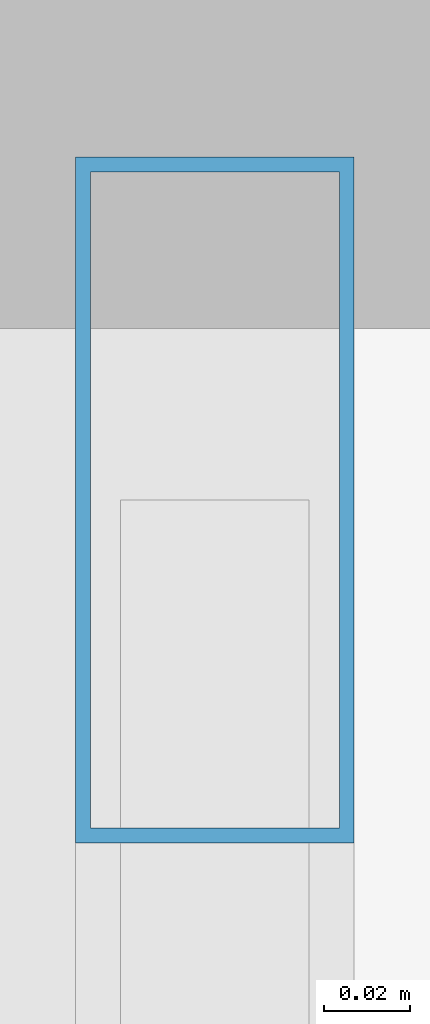
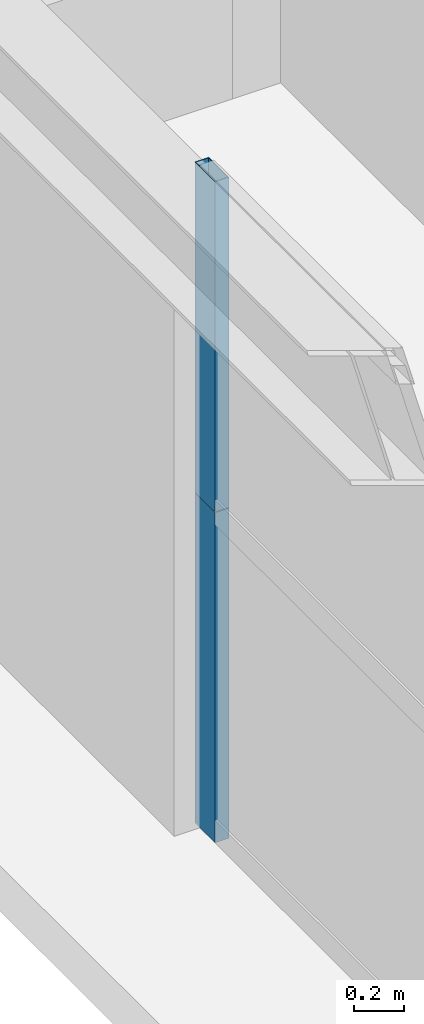
# One storey, part 21 of 36: 2 members, 1 element without a shape of its own.
"""IFC4 building model written with IfcOpenShell, lengths in metres."""

from ifc_helpers import new_model, si_unit, direction, frame, origin, origin_2d, place, context, subcontext, project, spatial, hollow_rectangle, extrude, source, transform, mapped, material, layer, layer_set, material_profile, profile_set, type_object, element, aggregate, save


model = new_model("IFC4")

# Units and contexts
model_context = context("Model", 3, precision=1e-05, world=origin(), true_north=direction((0.0, 1.0)))
body_context = subcontext(model_context, "Body", "Model", "MODEL_VIEW")
ifc_project = project(units=[si_unit("LENGTHUNIT", "METRE"), si_unit("AREAUNIT", "SQUARE_METRE"), si_unit("VOLUMEUNIT", "CUBIC_METRE"), si_unit("PLANEANGLEUNIT", "RADIAN"), si_unit("MASSUNIT", "GRAM", prefix="KILO"), si_unit("THERMODYNAMICTEMPERATUREUNIT", "KELVIN"), si_unit("POWERUNIT", "WATT")], contexts=[model_context])

# Site, building, storey
site_placement = place(None, origin())
site = spatial("IfcSite", under=ifc_project, at=site_placement, CompositionType="ELEMENT")
building_placement = place(site_placement, origin())
building = spatial("IfcBuilding", under=site, at=building_placement, Name="Yuzanri Waterfront Tower", CompositionType="ELEMENT")
storey_placement = place(building_placement, frame((0.0, 0.0, 255.60009765625)))
storey = spatial("IfcBuildingStorey", under=building, at=storey_placement, Name="L68", CompositionType="ELEMENT", Elevation=255.60009765625)

# Curtain wall, members
ifc_material_1 = material(Name="Anodized Architectural Bronze", Category="metal")
ifc_layer = layer(ifc_material_1, 0.159912109375)
ifc_layer_set = layer_set([ifc_layer], Name="Anodized Architectural Bronze")
curtain_wall_type = type_object("IfcCurtainWallType", Name="Anodized Bronze Mid-Rise Residential Acoustic Unitized Curtain Wall 7200", PredefinedType="NOTDEFINED", material=ifc_layer_set)
curtain_wall_placement = place(storey_placement, origin())
curtain_wall = element("IfcCurtainWall", 1, at=curtain_wall_placement, inside=storey, type_object=curtain_wall_type, Name="L68 Curtain Wall CW-L68-WR", PredefinedType="NOTDEFINED")
ifc_material_2 = material(Name="Anodized Architectural Bronze", Category="metal")
ifc_material_profile = material_profile(ifc_material_2, hollow_rectangle(XDim=0.06494140625, YDim=0.159912109375, WallThickness=0.00341796875, at=origin_2d()), Name="CWM 65x160")
ifc_profile_set = profile_set([ifc_material_profile], Name="Anodized Architectural Bronze")
member_type = type_object("IfcMemberType", Name="Anodized Bronze Upper-Zone Curtain-Wall Mullion 65x160", PredefinedType="MULLION", material=ifc_profile_set)
shared_shape_1 = source(origin(), body_context, "Body", "SweptSolid", [
    extrude(hollow_rectangle(XDim=0.06494140625, YDim=0.159912109375, WallThickness=0.00341796875, at=origin_2d()), origin(), (0.0, 0.0, 1.0), 1.597900390625),
])
member_1_placement = place(storey_placement, frame((16.550048828125, 39.010009765625, 0.0), z_axis=(0.0, 0.0, 1.0), x_axis=(1.0, 0.0, 0.0)))
member_1 = element("IfcMember", 2, at=member_1_placement, type_object=member_type, Name="CW-L68-WR Lower Mullion 02", PredefinedType="MULLION", context=body_context, shape_type="MappedRepresentation", body=[
    mapped(shared_shape_1, transform((0.0, 0.0, 0.0), scale=1.0)),
])
shared_shape_2 = source(origin(), body_context, "Body", "SweptSolid", [
    extrude(hollow_rectangle(XDim=0.06494140625, YDim=0.159912109375, WallThickness=0.00341796875, at=origin_2d()), origin(), (0.0, 0.0, 1.0), 1.59814453125),
])
member_2_placement = place(storey_placement, frame((16.550048828125, 39.010009765625, 1.601806640625), z_axis=(0.0, 0.0, 1.0), x_axis=(1.0, 0.0, 0.0)))
member_2 = element("IfcMember", 3, at=member_2_placement, type_object=member_type, Name="CW-L68-WR Upper Mullion 02", PredefinedType="MULLION", context=body_context, shape_type="MappedRepresentation", body=[
    mapped(shared_shape_2, transform((0.0, 0.0, 0.0), scale=1.0)),
])
aggregate(curtain_wall, [member_1, member_2])

save(model, "model.ifc")
